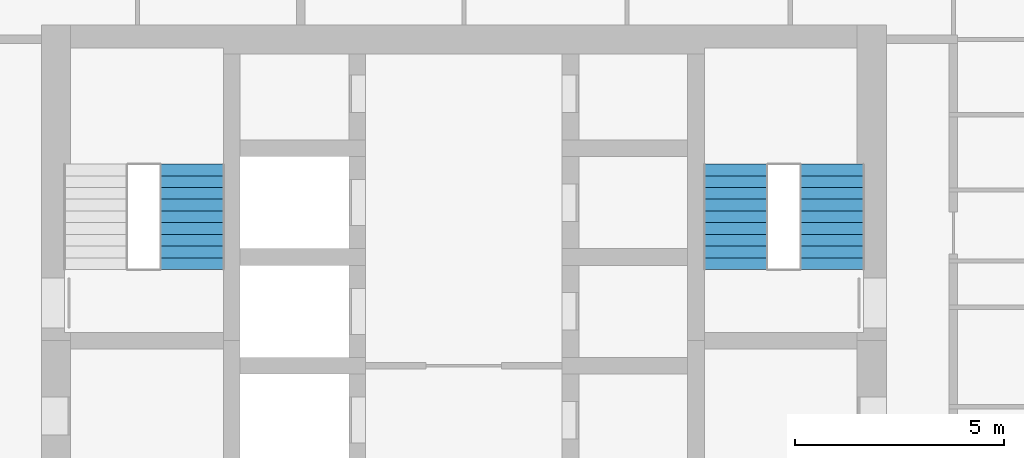
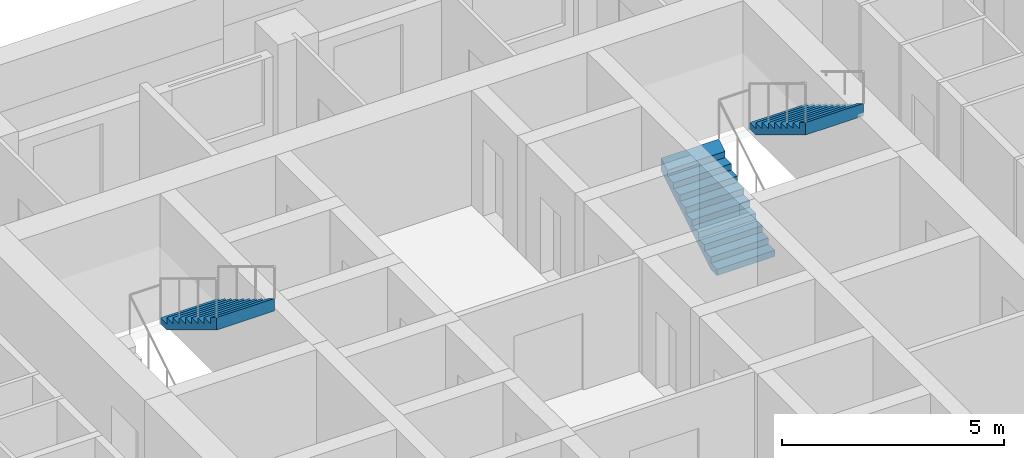
# One storey, part 15 of 17: 3 stair flights, 2 elements without a shape of their own.
"""IFC4 building model written with IfcOpenShell, lengths in metres."""

from ifc_helpers import new_model, si_unit, direction, frame, origin, place, context, subcontext, project, spatial, triangles, material, type_object, element, aggregate, save


model = new_model("IFC4")

# Units and contexts
model_context = context("Model", 3, precision=1e-05, world=origin(), true_north=direction((0.0, 1.0)))
body_context = subcontext(model_context, "Body", "Model", "MODEL_VIEW")
ifc_project = project(units=[si_unit("LENGTHUNIT", "METRE"), si_unit("AREAUNIT", "SQUARE_METRE"), si_unit("VOLUMEUNIT", "CUBIC_METRE"), si_unit("PLANEANGLEUNIT", "RADIAN"), si_unit("MASSUNIT", "GRAM", prefix="KILO")], contexts=[model_context])

# Site, building, storey
site_placement = place(None, origin())
site = spatial("IfcSite", under=ifc_project, at=site_placement, CompositionType="ELEMENT")
building_placement = place(site_placement, origin())
building = spatial("IfcBuilding", under=site, at=building_placement, Name="Ludao Terraces", CompositionType="ELEMENT")
storey_placement = place(building_placement, frame((0.0, 0.0, 51.199951171875)))
storey = spatial("IfcBuildingStorey", under=building, at=storey_placement, Name="L13", CompositionType="ELEMENT", Elevation=51.199951171875)

# Stair, stair flight
ifc_material = material(Name="Concrete C40", Category="concrete")
stair_type = type_object("IfcStairType", Name="INT Stair", PredefinedType="HALF_TURN_STAIR", material=ifc_material)
stair_1_placement = place(storey_placement, origin())
stair_1 = element("IfcStair", 1, at=stair_1_placement, inside=storey, type_object=stair_type, Name="EXIT STAIR 1", PredefinedType="HALF_TURN_STAIR")
stair_flight_type = type_object("IfcStairFlightType", Name="INT Stair flight", PredefinedType="STRAIGHT", material=ifc_material)
stair_flight_1_placement = place(storey_placement, frame((78.5, 81.52001953125, 1.699951171875), z_axis=(0.0, 0.0, 1.0), x_axis=(0.0, -1.0, 0.0)))
stair_flight_1 = element("IfcStairFlight", 2, at=stair_flight_1_placement, type_object=stair_flight_type, Name="ST1 flight 2", NumberOfRisers=10, NumberOfTreads=9, PredefinedType="STRAIGHT", RiserHeight=0.17, TreadLength=0.28, context=body_context, shape_type="Tessellation", body=[
    triangles([(0.0, -0.75, 0.0), (0.0, -0.5, 0.0), (0.0, -0.25, 0.0), (0.0, 0.0, 0.0), (0.0, 0.25, 0.0), (0.0, 0.5, 0.0), (0.0, 0.75, 0.0), (0.0, -0.75, 0.169921875), (0.0, -0.5, 0.169921875), (0.0, -0.25, 0.169921875), (0.0, 0.0, 0.169921875), (0.0, 0.25, 0.169921875), (0.0, 0.5, 0.169921875), (0.0, 0.75, 0.169921875), (0.280029296875, -0.75, 0.169921875), (0.280029296875, -0.5, 0.169921875), (0.280029296875, -0.25, 0.169921875), (0.280029296875, 0.0, 0.169921875), (0.280029296875, 0.25, 0.169921875), (0.280029296875, 0.5, 0.169921875), (0.280029296875, 0.75, 0.169921875), (0.280029296875, -0.75, 0.340087890625), (0.280029296875, -0.5, 0.340087890625), (0.280029296875, -0.25, 0.340087890625), (0.280029296875, 0.0, 0.340087890625), (0.280029296875, 0.25, 0.340087890625), (0.280029296875, 0.5, 0.340087890625), (0.280029296875, 0.75, 0.340087890625), (0.56005859375, -0.75, 0.340087890625), (0.56005859375, -0.5, 0.340087890625), (0.56005859375, -0.25, 0.340087890625), (0.56005859375, 0.0, 0.340087890625), (0.56005859375, 0.25, 0.340087890625), (0.56005859375, 0.5, 0.340087890625), (0.56005859375, 0.75, 0.340087890625), (0.56005859375, -0.75, 0.510009765625), (0.56005859375, -0.5, 0.510009765625), (0.56005859375, -0.25, 0.510009765625), (0.56005859375, 0.0, 0.510009765625), (0.56005859375, 0.25, 0.510009765625), (0.56005859375, 0.5, 0.510009765625), (0.56005859375, 0.75, 0.510009765625), (0.840087890625, -0.75, 0.510009765625), (0.840087890625, -0.5, 0.510009765625), (0.840087890625, -0.25, 0.510009765625), (0.840087890625, 0.0, 0.510009765625), (0.840087890625, 0.25, 0.510009765625), (0.840087890625, 0.5, 0.510009765625), (0.840087890625, 0.75, 0.510009765625), (0.840087890625, -0.75, 0.679931640625), (0.840087890625, -0.5, 0.679931640625), (0.840087890625, -0.25, 0.679931640625), (0.840087890625, 0.0, 0.679931640625), (0.840087890625, 0.25, 0.679931640625), (0.840087890625, 0.5, 0.679931640625), (0.840087890625, 0.75, 0.679931640625), (1.1201171875, -0.75, 0.679931640625), (1.1201171875, -0.5, 0.679931640625), (1.1201171875, -0.25, 0.679931640625), (1.1201171875, 0.0, 0.679931640625), (1.1201171875, 0.25, 0.679931640625), (1.1201171875, 0.5, 0.679931640625), (1.1201171875, 0.75, 0.679931640625), (1.1201171875, -0.75, 0.85009765625), (1.1201171875, -0.5, 0.85009765625), (1.1201171875, -0.25, 0.85009765625), (1.1201171875, 0.0, 0.85009765625), (1.1201171875, 0.25, 0.85009765625), (1.1201171875, 0.5, 0.85009765625), (1.1201171875, 0.75, 0.85009765625), (1.39990234375, -0.75, 0.85009765625), (1.39990234375, -0.5, 0.85009765625), (1.39990234375, -0.25, 0.85009765625), (1.39990234375, 0.0, 0.85009765625), (1.39990234375, 0.25, 0.85009765625), (1.39990234375, 0.5, 0.85009765625), (1.39990234375, 0.75, 0.85009765625), (1.39990234375, -0.75, 1.02001953125), (1.39990234375, -0.5, 1.02001953125), (1.39990234375, -0.25, 1.02001953125), (1.39990234375, 0.0, 1.02001953125), (1.39990234375, 0.25, 1.02001953125), (1.39990234375, 0.5, 1.02001953125), (1.39990234375, 0.75, 1.02001953125), (1.679931640625, -0.75, 1.02001953125), (1.679931640625, -0.5, 1.02001953125), (1.679931640625, -0.25, 1.02001953125), (1.679931640625, 0.0, 1.02001953125), (1.679931640625, 0.25, 1.02001953125), (1.679931640625, 0.5, 1.02001953125), (1.679931640625, 0.75, 1.02001953125), (1.679931640625, -0.75, 1.18994140625), (1.679931640625, -0.5, 1.18994140625), (1.679931640625, -0.25, 1.18994140625), (1.679931640625, 0.0, 1.18994140625), (1.679931640625, 0.25, 1.18994140625), (1.679931640625, 0.5, 1.18994140625), (1.679931640625, 0.75, 1.18994140625), (1.9599609375, -0.75, 1.18994140625), (1.9599609375, -0.5, 1.18994140625), (1.9599609375, -0.25, 1.18994140625), (1.9599609375, 0.0, 1.18994140625), (1.9599609375, 0.25, 1.18994140625), (1.9599609375, 0.5, 1.18994140625), (1.9599609375, 0.75, 1.18994140625), (1.9599609375, -0.75, 1.360107421875), (1.9599609375, -0.5, 1.360107421875), (1.9599609375, -0.25, 1.360107421875), (1.9599609375, 0.0, 1.360107421875), (1.9599609375, 0.25, 1.360107421875), (1.9599609375, 0.5, 1.360107421875), (1.9599609375, 0.75, 1.360107421875), (2.239990234375, -0.75, 1.360107421875), (2.239990234375, -0.5, 1.360107421875), (2.239990234375, -0.25, 1.360107421875), (2.239990234375, 0.0, 1.360107421875), (2.239990234375, 0.25, 1.360107421875), (2.239990234375, 0.5, 1.360107421875), (2.239990234375, 0.75, 1.360107421875), (2.239990234375, -0.75, 1.530029296875), (2.239990234375, -0.5, 1.530029296875), (2.239990234375, -0.25, 1.530029296875), (2.239990234375, 0.0, 1.530029296875), (2.239990234375, 0.25, 1.530029296875), (2.239990234375, 0.5, 1.530029296875), (2.239990234375, 0.75, 1.530029296875), (2.52001953125, -0.75, 1.699951171875), (2.52001953125, -0.5, 1.699951171875), (2.52001953125, -0.25, 1.699951171875), (2.52001953125, 0.0, 1.699951171875), (2.52001953125, 0.25, 1.699951171875), (2.52001953125, 0.5, 1.699951171875), (2.52001953125, 0.75, 1.699951171875), (2.52001953125, -0.75, 1.354736328125), (2.52001953125, -0.5, 1.354736328125), (2.52001953125, -0.25, 1.354736328125), (2.52001953125, 0.0, 1.354736328125), (2.52001953125, 0.25, 1.354736328125), (2.52001953125, 0.5, 1.354736328125), (2.52001953125, 0.75, 1.354736328125), (0.288818359375, -0.75, 0.0), (0.288818359375, -0.5, 0.0), (0.288818359375, -0.25, 0.0), (0.288818359375, 0.0, 0.0), (0.288818359375, 0.25, 0.0), (0.288818359375, 0.5, 0.0), (0.288818359375, 0.75, 0.0)], [[1, 141, 134], [7, 140, 147], [134, 127, 120], [140, 126, 133], [134, 120, 113], [140, 119, 126], [134, 113, 106], [140, 112, 119], [134, 106, 99], [140, 105, 112], [99, 92, 85], [105, 91, 98], [134, 99, 85], [140, 91, 105], [85, 78, 71], [91, 77, 84], [134, 85, 71], [140, 77, 91], [71, 64, 57], [77, 63, 70], [134, 71, 57], [140, 63, 77], [57, 50, 43], [63, 49, 56], [134, 57, 43], [140, 49, 63], [43, 36, 29], [49, 35, 42], [134, 43, 29], [140, 35, 49], [29, 22, 15], [35, 21, 28], [134, 29, 15], [140, 21, 35], [1, 134, 15], [7, 21, 140], [15, 8, 1], [21, 7, 14], [1, 9, 2], [1, 8, 9], [2, 10, 3], [2, 9, 10], [3, 11, 4], [3, 10, 11], [4, 12, 5], [4, 11, 12], [5, 13, 6], [5, 12, 13], [6, 14, 7], [6, 13, 14], [8, 16, 9], [8, 15, 16], [9, 17, 10], [9, 16, 17], [10, 18, 11], [10, 17, 18], [11, 19, 12], [11, 18, 19], [12, 20, 13], [12, 19, 20], [13, 21, 14], [13, 20, 21], [15, 23, 16], [15, 22, 23], [16, 24, 17], [16, 23, 24], [17, 25, 18], [17, 24, 25], [18, 26, 19], [18, 25, 26], [19, 27, 20], [19, 26, 27], [20, 28, 21], [20, 27, 28], [22, 30, 23], [22, 29, 30], [23, 31, 24], [23, 30, 31], [24, 32, 25], [24, 31, 32], [25, 33, 26], [25, 32, 33], [26, 34, 27], [26, 33, 34], [27, 35, 28], [27, 34, 35], [29, 37, 30], [29, 36, 37], [30, 38, 31], [30, 37, 38], [31, 39, 32], [31, 38, 39], [32, 40, 33], [32, 39, 40], [33, 41, 34], [33, 40, 41], [34, 42, 35], [34, 41, 42], [36, 44, 37], [36, 43, 44], [37, 45, 38], [37, 44, 45], [38, 46, 39], [38, 45, 46], [39, 47, 40], [39, 46, 47], [40, 48, 41], [40, 47, 48], [41, 49, 42], [41, 48, 49], [43, 51, 44], [43, 50, 51], [44, 52, 45], [44, 51, 52], [45, 53, 46], [45, 52, 53], [46, 54, 47], [46, 53, 54], [47, 55, 48], [47, 54, 55], [48, 56, 49], [48, 55, 56], [50, 58, 51], [50, 57, 58], [51, 59, 52], [51, 58, 59], [52, 60, 53], [52, 59, 60], [53, 61, 54], [53, 60, 61], [54, 62, 55], [54, 61, 62], [55, 63, 56], [55, 62, 63], [57, 65, 58], [57, 64, 65], [58, 66, 59], [58, 65, 66], [59, 67, 60], [59, 66, 67], [60, 68, 61], [60, 67, 68], [61, 69, 62], [61, 68, 69], [62, 70, 63], [62, 69, 70], [64, 72, 65], [64, 71, 72], [65, 73, 66], [65, 72, 73], [66, 74, 67], [66, 73, 74], [67, 75, 68], [67, 74, 75], [68, 76, 69], [68, 75, 76], [69, 77, 70], [69, 76, 77], [71, 79, 72], [71, 78, 79], [72, 80, 73], [72, 79, 80], [73, 81, 74], [73, 80, 81], [74, 82, 75], [74, 81, 82], [75, 83, 76], [75, 82, 83], [76, 84, 77], [76, 83, 84], [78, 86, 79], [78, 85, 86], [79, 87, 80], [79, 86, 87], [80, 88, 81], [80, 87, 88], [81, 89, 82], [81, 88, 89], [82, 90, 83], [82, 89, 90], [83, 91, 84], [83, 90, 91], [85, 93, 86], [85, 92, 93], [86, 94, 87], [86, 93, 94], [87, 95, 88], [87, 94, 95], [88, 96, 89], [88, 95, 96], [89, 97, 90], [89, 96, 97], [90, 98, 91], [90, 97, 98], [92, 100, 93], [92, 99, 100], [93, 101, 94], [93, 100, 101], [94, 102, 95], [94, 101, 102], [95, 103, 96], [95, 102, 103], [96, 104, 97], [96, 103, 104], [97, 105, 98], [97, 104, 105], [99, 107, 100], [99, 106, 107], [100, 108, 101], [100, 107, 108], [101, 109, 102], [101, 108, 109], [102, 110, 103], [102, 109, 110], [103, 111, 104], [103, 110, 111], [104, 112, 105], [104, 111, 112], [106, 114, 107], [106, 113, 114], [107, 115, 108], [107, 114, 115], [108, 116, 109], [108, 115, 116], [109, 117, 110], [109, 116, 117], [110, 118, 111], [110, 117, 118], [111, 119, 112], [111, 118, 119], [113, 121, 114], [113, 120, 121], [114, 122, 115], [114, 121, 122], [115, 123, 116], [115, 122, 123], [116, 124, 117], [116, 123, 124], [117, 125, 118], [117, 124, 125], [118, 126, 119], [118, 125, 126], [120, 128, 121], [120, 127, 128], [121, 129, 122], [121, 128, 129], [122, 130, 123], [122, 129, 130], [123, 131, 124], [123, 130, 131], [124, 132, 125], [124, 131, 132], [125, 133, 126], [125, 132, 133], [127, 135, 128], [127, 134, 135], [128, 136, 129], [128, 135, 136], [129, 137, 130], [129, 136, 137], [130, 138, 131], [130, 137, 138], [131, 139, 132], [131, 138, 139], [132, 140, 133], [132, 139, 140], [134, 142, 135], [134, 141, 142], [135, 143, 136], [135, 142, 143], [136, 144, 137], [136, 143, 144], [137, 145, 138], [137, 144, 145], [138, 146, 139], [138, 145, 146], [139, 147, 140], [139, 146, 147], [141, 2, 142], [141, 1, 2], [142, 3, 143], [142, 2, 3], [143, 4, 144], [143, 3, 4], [144, 5, 145], [144, 4, 5], [145, 6, 146], [145, 5, 6], [146, 7, 147], [146, 6, 7]], closed=True),
])
aggregate(stair_1, [stair_flight_1])

# Stair, stair flights
stair_2_placement = place(storey_placement, origin())
stair_2 = element("IfcStair", 3, at=stair_2_placement, inside=storey, type_object=stair_type, Name="EXIT STAIR 2", PredefinedType="HALF_TURN_STAIR")
stair_flight_2_placement = place(storey_placement, frame((91.5, 79.0, 0.0), z_axis=(0.0, 0.0, 1.0), x_axis=(0.0, 1.0, 0.0)))
stair_flight_2 = element("IfcStairFlight", 4, at=stair_flight_2_placement, type_object=stair_flight_type, Name="ST2 flight 1", NumberOfRisers=10, NumberOfTreads=9, PredefinedType="STRAIGHT", RiserHeight=0.17, TreadLength=0.28, context=body_context, shape_type="Tessellation", body=[
    triangles([(0.0, -0.75, 0.0), (0.0, -0.5, 0.0), (0.0, -0.25, 0.0), (0.0, 0.0, 0.0), (0.0, 0.25, 0.0), (0.0, 0.5, 0.0), (0.0, 0.75, 0.0), (0.0, -0.75, 0.169921875), (0.0, -0.5, 0.169921875), (0.0, -0.25, 0.169921875), (0.0, 0.0, 0.169921875), (0.0, 0.25, 0.169921875), (0.0, 0.5, 0.169921875), (0.0, 0.75, 0.169921875), (0.280029296875, -0.75, 0.169921875), (0.280029296875, -0.5, 0.169921875), (0.280029296875, -0.25, 0.169921875), (0.280029296875, 0.0, 0.169921875), (0.280029296875, 0.25, 0.169921875), (0.280029296875, 0.5, 0.169921875), (0.280029296875, 0.75, 0.169921875), (0.280029296875, -0.75, 0.340087890625), (0.280029296875, -0.5, 0.340087890625), (0.280029296875, -0.25, 0.340087890625), (0.280029296875, 0.0, 0.340087890625), (0.280029296875, 0.25, 0.340087890625), (0.280029296875, 0.5, 0.340087890625), (0.280029296875, 0.75, 0.340087890625), (0.56005859375, -0.75, 0.340087890625), (0.56005859375, -0.5, 0.340087890625), (0.56005859375, -0.25, 0.340087890625), (0.56005859375, 0.0, 0.340087890625), (0.56005859375, 0.25, 0.340087890625), (0.56005859375, 0.5, 0.340087890625), (0.56005859375, 0.75, 0.340087890625), (0.56005859375, -0.75, 0.510009765625), (0.56005859375, -0.5, 0.510009765625), (0.56005859375, -0.25, 0.510009765625), (0.56005859375, 0.0, 0.510009765625), (0.56005859375, 0.25, 0.510009765625), (0.56005859375, 0.5, 0.510009765625), (0.56005859375, 0.75, 0.510009765625), (0.840087890625, -0.75, 0.510009765625), (0.840087890625, -0.5, 0.510009765625), (0.840087890625, -0.25, 0.510009765625), (0.840087890625, 0.0, 0.510009765625), (0.840087890625, 0.25, 0.510009765625), (0.840087890625, 0.5, 0.510009765625), (0.840087890625, 0.75, 0.510009765625), (0.840087890625, -0.75, 0.679931640625), (0.840087890625, -0.5, 0.679931640625), (0.840087890625, -0.25, 0.679931640625), (0.840087890625, 0.0, 0.679931640625), (0.840087890625, 0.25, 0.679931640625), (0.840087890625, 0.5, 0.679931640625), (0.840087890625, 0.75, 0.679931640625), (1.1201171875, -0.75, 0.679931640625), (1.1201171875, -0.5, 0.679931640625), (1.1201171875, -0.25, 0.679931640625), (1.1201171875, 0.0, 0.679931640625), (1.1201171875, 0.25, 0.679931640625), (1.1201171875, 0.5, 0.679931640625), (1.1201171875, 0.75, 0.679931640625), (1.1201171875, -0.75, 0.85009765625), (1.1201171875, -0.5, 0.85009765625), (1.1201171875, -0.25, 0.85009765625), (1.1201171875, 0.0, 0.85009765625), (1.1201171875, 0.25, 0.85009765625), (1.1201171875, 0.5, 0.85009765625), (1.1201171875, 0.75, 0.85009765625), (1.39990234375, -0.75, 0.85009765625), (1.39990234375, -0.5, 0.85009765625), (1.39990234375, -0.25, 0.85009765625), (1.39990234375, 0.0, 0.85009765625), (1.39990234375, 0.25, 0.85009765625), (1.39990234375, 0.5, 0.85009765625), (1.39990234375, 0.75, 0.85009765625), (1.39990234375, -0.75, 1.02001953125), (1.39990234375, -0.5, 1.02001953125), (1.39990234375, -0.25, 1.02001953125), (1.39990234375, 0.0, 1.02001953125), (1.39990234375, 0.25, 1.02001953125), (1.39990234375, 0.5, 1.02001953125), (1.39990234375, 0.75, 1.02001953125), (1.679931640625, -0.75, 1.02001953125), (1.679931640625, -0.5, 1.02001953125), (1.679931640625, -0.25, 1.02001953125), (1.679931640625, 0.0, 1.02001953125), (1.679931640625, 0.25, 1.02001953125), (1.679931640625, 0.5, 1.02001953125), (1.679931640625, 0.75, 1.02001953125), (1.679931640625, -0.75, 1.18994140625), (1.679931640625, -0.5, 1.18994140625), (1.679931640625, -0.25, 1.18994140625), (1.679931640625, 0.0, 1.18994140625), (1.679931640625, 0.25, 1.18994140625), (1.679931640625, 0.5, 1.18994140625), (1.679931640625, 0.75, 1.18994140625), (1.9599609375, -0.75, 1.18994140625), (1.9599609375, -0.5, 1.18994140625), (1.9599609375, -0.25, 1.18994140625), (1.9599609375, 0.0, 1.18994140625), (1.9599609375, 0.25, 1.18994140625), (1.9599609375, 0.5, 1.18994140625), (1.9599609375, 0.75, 1.18994140625), (1.9599609375, -0.75, 1.360107421875), (1.9599609375, -0.5, 1.360107421875), (1.9599609375, -0.25, 1.360107421875), (1.9599609375, 0.0, 1.360107421875), (1.9599609375, 0.25, 1.360107421875), (1.9599609375, 0.5, 1.360107421875), (1.9599609375, 0.75, 1.360107421875), (2.239990234375, -0.75, 1.360107421875), (2.239990234375, -0.5, 1.360107421875), (2.239990234375, -0.25, 1.360107421875), (2.239990234375, 0.0, 1.360107421875), (2.239990234375, 0.25, 1.360107421875), (2.239990234375, 0.5, 1.360107421875), (2.239990234375, 0.75, 1.360107421875), (2.239990234375, -0.75, 1.530029296875), (2.239990234375, -0.5, 1.530029296875), (2.239990234375, -0.25, 1.530029296875), (2.239990234375, 0.0, 1.530029296875), (2.239990234375, 0.25, 1.530029296875), (2.239990234375, 0.5, 1.530029296875), (2.239990234375, 0.75, 1.530029296875), (2.52001953125, -0.75, 1.699951171875), (2.52001953125, -0.5, 1.699951171875), (2.52001953125, -0.25, 1.699951171875), (2.52001953125, 0.0, 1.699951171875), (2.52001953125, 0.25, 1.699951171875), (2.52001953125, 0.5, 1.699951171875), (2.52001953125, 0.75, 1.699951171875), (2.52001953125, -0.75, 1.354736328125), (2.52001953125, -0.5, 1.354736328125), (2.52001953125, -0.25, 1.354736328125), (2.52001953125, 0.0, 1.354736328125), (2.52001953125, 0.25, 1.354736328125), (2.52001953125, 0.5, 1.354736328125), (2.52001953125, 0.75, 1.354736328125), (0.288818359375, -0.75, 0.0), (0.288818359375, -0.5, 0.0), (0.288818359375, -0.25, 0.0), (0.288818359375, 0.0, 0.0), (0.288818359375, 0.25, 0.0), (0.288818359375, 0.5, 0.0), (0.288818359375, 0.75, 0.0)], [[1, 141, 134], [7, 140, 147], [134, 127, 120], [140, 126, 133], [134, 120, 113], [140, 119, 126], [134, 113, 106], [140, 112, 119], [134, 106, 99], [140, 105, 112], [99, 92, 85], [105, 91, 98], [134, 99, 85], [140, 91, 105], [85, 78, 71], [91, 77, 84], [134, 85, 71], [140, 77, 91], [71, 64, 57], [77, 63, 70], [134, 71, 57], [140, 63, 77], [57, 50, 43], [63, 49, 56], [134, 57, 43], [140, 49, 63], [43, 36, 29], [49, 35, 42], [134, 43, 29], [140, 35, 49], [29, 22, 15], [35, 21, 28], [134, 29, 15], [140, 21, 35], [1, 134, 15], [7, 21, 140], [15, 8, 1], [21, 7, 14], [1, 9, 2], [1, 8, 9], [2, 10, 3], [2, 9, 10], [3, 11, 4], [3, 10, 11], [4, 12, 5], [4, 11, 12], [5, 13, 6], [5, 12, 13], [6, 14, 7], [6, 13, 14], [8, 16, 9], [8, 15, 16], [9, 17, 10], [9, 16, 17], [10, 18, 11], [10, 17, 18], [11, 19, 12], [11, 18, 19], [12, 20, 13], [12, 19, 20], [13, 21, 14], [13, 20, 21], [15, 23, 16], [15, 22, 23], [16, 24, 17], [16, 23, 24], [17, 25, 18], [17, 24, 25], [18, 26, 19], [18, 25, 26], [19, 27, 20], [19, 26, 27], [20, 28, 21], [20, 27, 28], [22, 30, 23], [22, 29, 30], [23, 31, 24], [23, 30, 31], [24, 32, 25], [24, 31, 32], [25, 33, 26], [25, 32, 33], [26, 34, 27], [26, 33, 34], [27, 35, 28], [27, 34, 35], [29, 37, 30], [29, 36, 37], [30, 38, 31], [30, 37, 38], [31, 39, 32], [31, 38, 39], [32, 40, 33], [32, 39, 40], [33, 41, 34], [33, 40, 41], [34, 42, 35], [34, 41, 42], [36, 44, 37], [36, 43, 44], [37, 45, 38], [37, 44, 45], [38, 46, 39], [38, 45, 46], [39, 47, 40], [39, 46, 47], [40, 48, 41], [40, 47, 48], [41, 49, 42], [41, 48, 49], [43, 51, 44], [43, 50, 51], [44, 52, 45], [44, 51, 52], [45, 53, 46], [45, 52, 53], [46, 54, 47], [46, 53, 54], [47, 55, 48], [47, 54, 55], [48, 56, 49], [48, 55, 56], [50, 58, 51], [50, 57, 58], [51, 59, 52], [51, 58, 59], [52, 60, 53], [52, 59, 60], [53, 61, 54], [53, 60, 61], [54, 62, 55], [54, 61, 62], [55, 63, 56], [55, 62, 63], [57, 65, 58], [57, 64, 65], [58, 66, 59], [58, 65, 66], [59, 67, 60], [59, 66, 67], [60, 68, 61], [60, 67, 68], [61, 69, 62], [61, 68, 69], [62, 70, 63], [62, 69, 70], [64, 72, 65], [64, 71, 72], [65, 73, 66], [65, 72, 73], [66, 74, 67], [66, 73, 74], [67, 75, 68], [67, 74, 75], [68, 76, 69], [68, 75, 76], [69, 77, 70], [69, 76, 77], [71, 79, 72], [71, 78, 79], [72, 80, 73], [72, 79, 80], [73, 81, 74], [73, 80, 81], [74, 82, 75], [74, 81, 82], [75, 83, 76], [75, 82, 83], [76, 84, 77], [76, 83, 84], [78, 86, 79], [78, 85, 86], [79, 87, 80], [79, 86, 87], [80, 88, 81], [80, 87, 88], [81, 89, 82], [81, 88, 89], [82, 90, 83], [82, 89, 90], [83, 91, 84], [83, 90, 91], [85, 93, 86], [85, 92, 93], [86, 94, 87], [86, 93, 94], [87, 95, 88], [87, 94, 95], [88, 96, 89], [88, 95, 96], [89, 97, 90], [89, 96, 97], [90, 98, 91], [90, 97, 98], [92, 100, 93], [92, 99, 100], [93, 101, 94], [93, 100, 101], [94, 102, 95], [94, 101, 102], [95, 103, 96], [95, 102, 103], [96, 104, 97], [96, 103, 104], [97, 105, 98], [97, 104, 105], [99, 107, 100], [99, 106, 107], [100, 108, 101], [100, 107, 108], [101, 109, 102], [101, 108, 109], [102, 110, 103], [102, 109, 110], [103, 111, 104], [103, 110, 111], [104, 112, 105], [104, 111, 112], [106, 114, 107], [106, 113, 114], [107, 115, 108], [107, 114, 115], [108, 116, 109], [108, 115, 116], [109, 117, 110], [109, 116, 117], [110, 118, 111], [110, 117, 118], [111, 119, 112], [111, 118, 119], [113, 121, 114], [113, 120, 121], [114, 122, 115], [114, 121, 122], [115, 123, 116], [115, 122, 123], [116, 124, 117], [116, 123, 124], [117, 125, 118], [117, 124, 125], [118, 126, 119], [118, 125, 126], [120, 128, 121], [120, 127, 128], [121, 129, 122], [121, 128, 129], [122, 130, 123], [122, 129, 130], [123, 131, 124], [123, 130, 131], [124, 132, 125], [124, 131, 132], [125, 133, 126], [125, 132, 133], [127, 135, 128], [127, 134, 135], [128, 136, 129], [128, 135, 136], [129, 137, 130], [129, 136, 137], [130, 138, 131], [130, 137, 138], [131, 139, 132], [131, 138, 139], [132, 140, 133], [132, 139, 140], [134, 142, 135], [134, 141, 142], [135, 143, 136], [135, 142, 143], [136, 144, 137], [136, 143, 144], [137, 145, 138], [137, 144, 145], [138, 146, 139], [138, 145, 146], [139, 147, 140], [139, 146, 147], [141, 2, 142], [141, 1, 2], [142, 3, 143], [142, 2, 3], [143, 4, 144], [143, 3, 4], [144, 5, 145], [144, 4, 5], [145, 6, 146], [145, 5, 6], [146, 7, 147], [146, 6, 7]], closed=True),
])
stair_flight_3_placement = place(storey_placement, frame((93.800048828125, 81.52001953125, 1.699951171875), z_axis=(0.0, 0.0, 1.0), x_axis=(0.0, -1.0, 0.0)))
stair_flight_3 = element("IfcStairFlight", 5, at=stair_flight_3_placement, type_object=stair_flight_type, Name="ST2 flight 2", NumberOfRisers=10, NumberOfTreads=9, PredefinedType="STRAIGHT", RiserHeight=0.17, TreadLength=0.28, context=body_context, shape_type="Tessellation", body=[
    triangles([(0.0, -0.75, 0.0), (0.0, -0.5, 0.0), (0.0, -0.25, 0.0), (0.0, 0.0, 0.0), (0.0, 0.25, 0.0), (0.0, 0.5, 0.0), (0.0, 0.75, 0.0), (0.0, -0.75, 0.169921875), (0.0, -0.5, 0.169921875), (0.0, -0.25, 0.169921875), (0.0, 0.0, 0.169921875), (0.0, 0.25, 0.169921875), (0.0, 0.5, 0.169921875), (0.0, 0.75, 0.169921875), (0.280029296875, -0.75, 0.169921875), (0.280029296875, -0.5, 0.169921875), (0.280029296875, -0.25, 0.169921875), (0.280029296875, 0.0, 0.169921875), (0.280029296875, 0.25, 0.169921875), (0.280029296875, 0.5, 0.169921875), (0.280029296875, 0.75, 0.169921875), (0.280029296875, -0.75, 0.340087890625), (0.280029296875, -0.5, 0.340087890625), (0.280029296875, -0.25, 0.340087890625), (0.280029296875, 0.0, 0.340087890625), (0.280029296875, 0.25, 0.340087890625), (0.280029296875, 0.5, 0.340087890625), (0.280029296875, 0.75, 0.340087890625), (0.56005859375, -0.75, 0.340087890625), (0.56005859375, -0.5, 0.340087890625), (0.56005859375, -0.25, 0.340087890625), (0.56005859375, 0.0, 0.340087890625), (0.56005859375, 0.25, 0.340087890625), (0.56005859375, 0.5, 0.340087890625), (0.56005859375, 0.75, 0.340087890625), (0.56005859375, -0.75, 0.510009765625), (0.56005859375, -0.5, 0.510009765625), (0.56005859375, -0.25, 0.510009765625), (0.56005859375, 0.0, 0.510009765625), (0.56005859375, 0.25, 0.510009765625), (0.56005859375, 0.5, 0.510009765625), (0.56005859375, 0.75, 0.510009765625), (0.840087890625, -0.75, 0.510009765625), (0.840087890625, -0.5, 0.510009765625), (0.840087890625, -0.25, 0.510009765625), (0.840087890625, 0.0, 0.510009765625), (0.840087890625, 0.25, 0.510009765625), (0.840087890625, 0.5, 0.510009765625), (0.840087890625, 0.75, 0.510009765625), (0.840087890625, -0.75, 0.679931640625), (0.840087890625, -0.5, 0.679931640625), (0.840087890625, -0.25, 0.679931640625), (0.840087890625, 0.0, 0.679931640625), (0.840087890625, 0.25, 0.679931640625), (0.840087890625, 0.5, 0.679931640625), (0.840087890625, 0.75, 0.679931640625), (1.1201171875, -0.75, 0.679931640625), (1.1201171875, -0.5, 0.679931640625), (1.1201171875, -0.25, 0.679931640625), (1.1201171875, 0.0, 0.679931640625), (1.1201171875, 0.25, 0.679931640625), (1.1201171875, 0.5, 0.679931640625), (1.1201171875, 0.75, 0.679931640625), (1.1201171875, -0.75, 0.85009765625), (1.1201171875, -0.5, 0.85009765625), (1.1201171875, -0.25, 0.85009765625), (1.1201171875, 0.0, 0.85009765625), (1.1201171875, 0.25, 0.85009765625), (1.1201171875, 0.5, 0.85009765625), (1.1201171875, 0.75, 0.85009765625), (1.39990234375, -0.75, 0.85009765625), (1.39990234375, -0.5, 0.85009765625), (1.39990234375, -0.25, 0.85009765625), (1.39990234375, 0.0, 0.85009765625), (1.39990234375, 0.25, 0.85009765625), (1.39990234375, 0.5, 0.85009765625), (1.39990234375, 0.75, 0.85009765625), (1.39990234375, -0.75, 1.02001953125), (1.39990234375, -0.5, 1.02001953125), (1.39990234375, -0.25, 1.02001953125), (1.39990234375, 0.0, 1.02001953125), (1.39990234375, 0.25, 1.02001953125), (1.39990234375, 0.5, 1.02001953125), (1.39990234375, 0.75, 1.02001953125), (1.679931640625, -0.75, 1.02001953125), (1.679931640625, -0.5, 1.02001953125), (1.679931640625, -0.25, 1.02001953125), (1.679931640625, 0.0, 1.02001953125), (1.679931640625, 0.25, 1.02001953125), (1.679931640625, 0.5, 1.02001953125), (1.679931640625, 0.75, 1.02001953125), (1.679931640625, -0.75, 1.18994140625), (1.679931640625, -0.5, 1.18994140625), (1.679931640625, -0.25, 1.18994140625), (1.679931640625, 0.0, 1.18994140625), (1.679931640625, 0.25, 1.18994140625), (1.679931640625, 0.5, 1.18994140625), (1.679931640625, 0.75, 1.18994140625), (1.9599609375, -0.75, 1.18994140625), (1.9599609375, -0.5, 1.18994140625), (1.9599609375, -0.25, 1.18994140625), (1.9599609375, 0.0, 1.18994140625), (1.9599609375, 0.25, 1.18994140625), (1.9599609375, 0.5, 1.18994140625), (1.9599609375, 0.75, 1.18994140625), (1.9599609375, -0.75, 1.360107421875), (1.9599609375, -0.5, 1.360107421875), (1.9599609375, -0.25, 1.360107421875), (1.9599609375, 0.0, 1.360107421875), (1.9599609375, 0.25, 1.360107421875), (1.9599609375, 0.5, 1.360107421875), (1.9599609375, 0.75, 1.360107421875), (2.239990234375, -0.75, 1.360107421875), (2.239990234375, -0.5, 1.360107421875), (2.239990234375, -0.25, 1.360107421875), (2.239990234375, 0.0, 1.360107421875), (2.239990234375, 0.25, 1.360107421875), (2.239990234375, 0.5, 1.360107421875), (2.239990234375, 0.75, 1.360107421875), (2.239990234375, -0.75, 1.530029296875), (2.239990234375, -0.5, 1.530029296875), (2.239990234375, -0.25, 1.530029296875), (2.239990234375, 0.0, 1.530029296875), (2.239990234375, 0.25, 1.530029296875), (2.239990234375, 0.5, 1.530029296875), (2.239990234375, 0.75, 1.530029296875), (2.52001953125, -0.75, 1.699951171875), (2.52001953125, -0.5, 1.699951171875), (2.52001953125, -0.25, 1.699951171875), (2.52001953125, 0.0, 1.699951171875), (2.52001953125, 0.25, 1.699951171875), (2.52001953125, 0.5, 1.699951171875), (2.52001953125, 0.75, 1.699951171875), (2.52001953125, -0.75, 1.354736328125), (2.52001953125, -0.5, 1.354736328125), (2.52001953125, -0.25, 1.354736328125), (2.52001953125, 0.0, 1.354736328125), (2.52001953125, 0.25, 1.354736328125), (2.52001953125, 0.5, 1.354736328125), (2.52001953125, 0.75, 1.354736328125), (0.288818359375, -0.75, 0.0), (0.288818359375, -0.5, 0.0), (0.288818359375, -0.25, 0.0), (0.288818359375, 0.0, 0.0), (0.288818359375, 0.25, 0.0), (0.288818359375, 0.5, 0.0), (0.288818359375, 0.75, 0.0)], [[1, 141, 134], [7, 140, 147], [134, 127, 120], [140, 126, 133], [134, 120, 113], [140, 119, 126], [134, 113, 106], [140, 112, 119], [134, 106, 99], [140, 105, 112], [99, 92, 85], [105, 91, 98], [134, 99, 85], [140, 91, 105], [85, 78, 71], [91, 77, 84], [134, 85, 71], [140, 77, 91], [71, 64, 57], [77, 63, 70], [134, 71, 57], [140, 63, 77], [57, 50, 43], [63, 49, 56], [134, 57, 43], [140, 49, 63], [43, 36, 29], [49, 35, 42], [134, 43, 29], [140, 35, 49], [29, 22, 15], [35, 21, 28], [134, 29, 15], [140, 21, 35], [1, 134, 15], [7, 21, 140], [15, 8, 1], [21, 7, 14], [1, 9, 2], [1, 8, 9], [2, 10, 3], [2, 9, 10], [3, 11, 4], [3, 10, 11], [4, 12, 5], [4, 11, 12], [5, 13, 6], [5, 12, 13], [6, 14, 7], [6, 13, 14], [8, 16, 9], [8, 15, 16], [9, 17, 10], [9, 16, 17], [10, 18, 11], [10, 17, 18], [11, 19, 12], [11, 18, 19], [12, 20, 13], [12, 19, 20], [13, 21, 14], [13, 20, 21], [15, 23, 16], [15, 22, 23], [16, 24, 17], [16, 23, 24], [17, 25, 18], [17, 24, 25], [18, 26, 19], [18, 25, 26], [19, 27, 20], [19, 26, 27], [20, 28, 21], [20, 27, 28], [22, 30, 23], [22, 29, 30], [23, 31, 24], [23, 30, 31], [24, 32, 25], [24, 31, 32], [25, 33, 26], [25, 32, 33], [26, 34, 27], [26, 33, 34], [27, 35, 28], [27, 34, 35], [29, 37, 30], [29, 36, 37], [30, 38, 31], [30, 37, 38], [31, 39, 32], [31, 38, 39], [32, 40, 33], [32, 39, 40], [33, 41, 34], [33, 40, 41], [34, 42, 35], [34, 41, 42], [36, 44, 37], [36, 43, 44], [37, 45, 38], [37, 44, 45], [38, 46, 39], [38, 45, 46], [39, 47, 40], [39, 46, 47], [40, 48, 41], [40, 47, 48], [41, 49, 42], [41, 48, 49], [43, 51, 44], [43, 50, 51], [44, 52, 45], [44, 51, 52], [45, 53, 46], [45, 52, 53], [46, 54, 47], [46, 53, 54], [47, 55, 48], [47, 54, 55], [48, 56, 49], [48, 55, 56], [50, 58, 51], [50, 57, 58], [51, 59, 52], [51, 58, 59], [52, 60, 53], [52, 59, 60], [53, 61, 54], [53, 60, 61], [54, 62, 55], [54, 61, 62], [55, 63, 56], [55, 62, 63], [57, 65, 58], [57, 64, 65], [58, 66, 59], [58, 65, 66], [59, 67, 60], [59, 66, 67], [60, 68, 61], [60, 67, 68], [61, 69, 62], [61, 68, 69], [62, 70, 63], [62, 69, 70], [64, 72, 65], [64, 71, 72], [65, 73, 66], [65, 72, 73], [66, 74, 67], [66, 73, 74], [67, 75, 68], [67, 74, 75], [68, 76, 69], [68, 75, 76], [69, 77, 70], [69, 76, 77], [71, 79, 72], [71, 78, 79], [72, 80, 73], [72, 79, 80], [73, 81, 74], [73, 80, 81], [74, 82, 75], [74, 81, 82], [75, 83, 76], [75, 82, 83], [76, 84, 77], [76, 83, 84], [78, 86, 79], [78, 85, 86], [79, 87, 80], [79, 86, 87], [80, 88, 81], [80, 87, 88], [81, 89, 82], [81, 88, 89], [82, 90, 83], [82, 89, 90], [83, 91, 84], [83, 90, 91], [85, 93, 86], [85, 92, 93], [86, 94, 87], [86, 93, 94], [87, 95, 88], [87, 94, 95], [88, 96, 89], [88, 95, 96], [89, 97, 90], [89, 96, 97], [90, 98, 91], [90, 97, 98], [92, 100, 93], [92, 99, 100], [93, 101, 94], [93, 100, 101], [94, 102, 95], [94, 101, 102], [95, 103, 96], [95, 102, 103], [96, 104, 97], [96, 103, 104], [97, 105, 98], [97, 104, 105], [99, 107, 100], [99, 106, 107], [100, 108, 101], [100, 107, 108], [101, 109, 102], [101, 108, 109], [102, 110, 103], [102, 109, 110], [103, 111, 104], [103, 110, 111], [104, 112, 105], [104, 111, 112], [106, 114, 107], [106, 113, 114], [107, 115, 108], [107, 114, 115], [108, 116, 109], [108, 115, 116], [109, 117, 110], [109, 116, 117], [110, 118, 111], [110, 117, 118], [111, 119, 112], [111, 118, 119], [113, 121, 114], [113, 120, 121], [114, 122, 115], [114, 121, 122], [115, 123, 116], [115, 122, 123], [116, 124, 117], [116, 123, 124], [117, 125, 118], [117, 124, 125], [118, 126, 119], [118, 125, 126], [120, 128, 121], [120, 127, 128], [121, 129, 122], [121, 128, 129], [122, 130, 123], [122, 129, 130], [123, 131, 124], [123, 130, 131], [124, 132, 125], [124, 131, 132], [125, 133, 126], [125, 132, 133], [127, 135, 128], [127, 134, 135], [128, 136, 129], [128, 135, 136], [129, 137, 130], [129, 136, 137], [130, 138, 131], [130, 137, 138], [131, 139, 132], [131, 138, 139], [132, 140, 133], [132, 139, 140], [134, 142, 135], [134, 141, 142], [135, 143, 136], [135, 142, 143], [136, 144, 137], [136, 143, 144], [137, 145, 138], [137, 144, 145], [138, 146, 139], [138, 145, 146], [139, 147, 140], [139, 146, 147], [141, 2, 142], [141, 1, 2], [142, 3, 143], [142, 2, 3], [143, 4, 144], [143, 3, 4], [144, 5, 145], [144, 4, 5], [145, 6, 146], [145, 5, 6], [146, 7, 147], [146, 6, 7]], closed=True),
])
aggregate(stair_2, [stair_flight_2, stair_flight_3])

save(model, "model.ifc")
